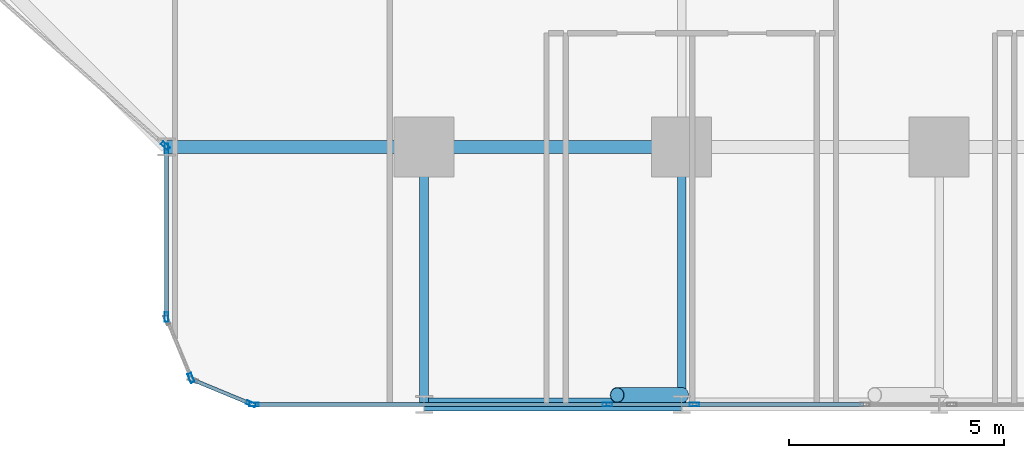
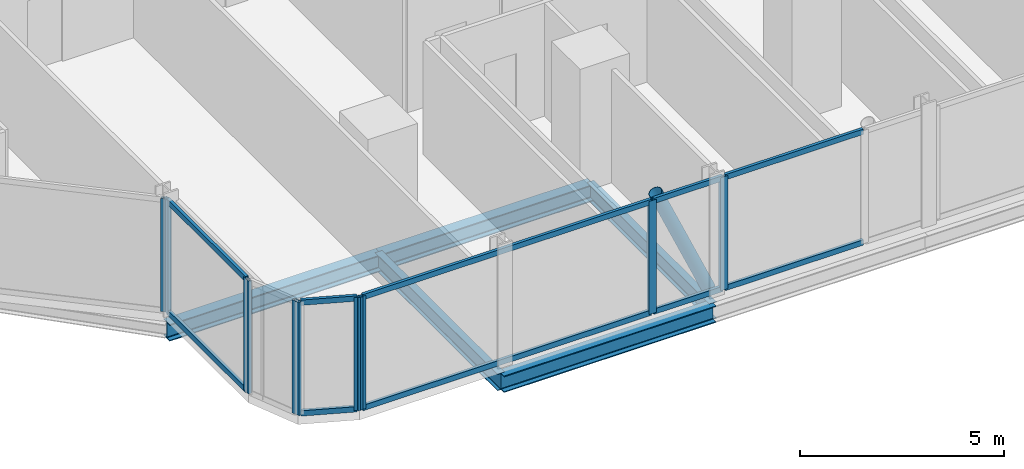
# One storey, part 3 of 33: 19 members, 5 beams, 7 elements without a shape of their own.
"""IFC4 building model written with IfcOpenShell, lengths in metres."""

from ifc_helpers import new_model, si_unit, direction, frame, origin, origin_2d, place, context, subcontext, project, spatial, hollow_rectangle, hollow_circle, i_section, extrude, material, layer, layer_set, material_profile, profile_set, type_object, element, aggregate, save


model = new_model("IFC4")

# Units and contexts
model_context = context("Model", 3, precision=1e-05, world=origin(), true_north=direction((0.0, 1.0)))
body_context = subcontext(model_context, "Body", "Model", "MODEL_VIEW")
ifc_project = project(units=[si_unit("LENGTHUNIT", "METRE"), si_unit("AREAUNIT", "SQUARE_METRE"), si_unit("VOLUMEUNIT", "CUBIC_METRE"), si_unit("PLANEANGLEUNIT", "RADIAN"), si_unit("MASSUNIT", "GRAM", prefix="KILO")], contexts=[model_context])

# Site, building, storey
site_placement = place(None, origin())
site = spatial("IfcSite", under=ifc_project, at=site_placement, CompositionType="ELEMENT")
building_placement = place(site_placement, origin())
building = spatial("IfcBuilding", under=site, at=building_placement, Name="Keshet Zoharim Tower", CompositionType="ELEMENT")
storey_placement = place(building_placement, frame((0.0, 0.0, 42.5)))
storey = spatial("IfcBuildingStorey", under=building, at=storey_placement, Name="L09", CompositionType="ELEMENT", Elevation=42.5)

# Beams
ifc_material_1 = material(Name="Steel S355", Category="steel")
ifc_material_profile_1 = material_profile(ifc_material_1, i_section(OverallWidth=0.199951171875, OverallDepth=0.5, WebThickness=0.01025390625, FlangeThickness=0.01611328125, FilletRadius=0.02099609375, at=origin_2d()), Name="IPE500")
ifc_profile_set_1 = profile_set([ifc_material_profile_1], Name="Steel S355")
beam_type_1 = type_object("IfcBeamType", Name="BM-PRI-IP500", PredefinedType="BEAM", material=ifc_profile_set_1)
for number, where, z_axis, x_axis, name in (
    (1, (27.0, 0.699951171875, -0.56494140625), (0.0, 1.0, 0.0), (-1.0, 0.0, 0.0), "L09 Primary Girder Y-004"),
    (2, (33.0, 0.699951171875, -0.56494140625), (0.0, 1.0, 0.0), (-1.0, 0.0, 0.0), "L09 Primary Girder Y-005"),
):
    element("IfcBeam", number, at=place(storey_placement, frame(where, z_axis=z_axis, x_axis=x_axis)), inside=storey, type_object=beam_type_1, Name=name, PredefinedType="BEAM", context=body_context, shape_type="SweptSolid", body=[
        extrude(i_section(OverallWidth=0.199951171875, OverallDepth=0.5, WebThickness=0.01025390625, FlangeThickness=0.01611328125, FilletRadius=0.02099609375, at=origin_2d()), origin(), (0.0, 0.0, 1.0), 6.0),
    ])
ifc_material_profile_2 = material_profile(ifc_material_1, i_section(OverallWidth=0.300048828125, OverallDepth=0.5, WebThickness=0.014404296875, FlangeThickness=0.028076171875, FilletRadius=0.027099609375, at=origin_2d()), Name="HEB500")
ifc_profile_set_2 = profile_set([ifc_material_profile_2], Name="Steel S355")
beam_type_2 = type_object("IfcBeamType", Name="BM-WEB-HB500", PredefinedType="BEAM", material=ifc_profile_set_2)
for number, where, z_axis, x_axis, name in (
    (3, (27.0, 0.699951171875, -0.56494140625), (1.0, 0.0, 0.0), (0.0, 1.0, 0.0), "L09 Primary Girder X-001"),
    (4, (21.0, 6.699951171875, -0.56494140625), (1.0, 0.0, 0.0), (0.0, 1.0, 0.0), "L09 Primary Girder X-006"),
    (5, (27.0, 6.699951171875, -0.56494140625), (1.0, 0.0, 0.0), (0.0, 1.0, 0.0), "L09 Primary Girder X-007"),
):
    element("IfcBeam", number, at=place(storey_placement, frame(where, z_axis=z_axis, x_axis=x_axis)), inside=storey, type_object=beam_type_2, Name=name, PredefinedType="BEAM", context=body_context, shape_type="SweptSolid", body=[
        extrude(i_section(OverallWidth=0.300048828125, OverallDepth=0.5, WebThickness=0.014404296875, FlangeThickness=0.028076171875, FilletRadius=0.027099609375, at=origin_2d()), origin(), (0.0, 0.0, 1.0), 6.0),
    ])

# Curtain wall, member
ifc_material_2 = material(Name="Aluminium 6063-T6", Category="aluminium")
ifc_layer = layer(ifc_material_2, 0.179931640625)
ifc_layer_set = layer_set([ifc_layer], Name="Aluminium 6063-T6")
curtain_wall_type = type_object("IfcCurtainWallType", Name="CW-SYS-01", PredefinedType="NOTDEFINED", material=ifc_layer_set)
curtain_wall_1_placement = place(storey_placement, origin())
curtain_wall_1 = element("IfcCurtainWall", 6, at=curtain_wall_1_placement, inside=storey, type_object=curtain_wall_type, Name="L09 Unitised Curtain Wall 01", PredefinedType="NOTDEFINED")
ifc_material_profile_3 = material_profile(ifc_material_2, hollow_rectangle(XDim=0.090087890625, YDim=0.219970703125, WallThickness=0.0048828125, at=origin_2d()), Name="MUL-90x220")
ifc_profile_set_3 = profile_set([ifc_material_profile_3], Name="Aluminium 6063-T6")
member_type_1 = type_object("IfcMemberType", Name="CWM-M22", PredefinedType="MULLION", material=ifc_profile_set_3)
member_1_placement = place(storey_placement, frame((20.973876953125, 6.72314453125, 0.0), z_axis=(0.0, 0.0, 1.0), x_axis=(-0.664363838836, -0.747409318679, 0.0)))
member_1 = element("IfcMember", 7, at=member_1_placement, type_object=member_type_1, Name="CW-01 mullion 1", PredefinedType="MULLION", context=body_context, shape_type="SweptSolid", body=[
    extrude(hollow_rectangle(XDim=0.090087890625, YDim=0.219970703125, WallThickness=0.0048828125, at=origin_2d()), origin(), (0.0, 0.0, 1.0), 3.385009765625),
])
aggregate(curtain_wall_1, [member_1])

curtain_wall_2_placement = place(storey_placement, origin())
curtain_wall_2 = element("IfcCurtainWall", 8, at=curtain_wall_2_placement, inside=storey, type_object=curtain_wall_type, Name="L09 Unitised Curtain Wall 26 Part 3", PredefinedType="NOTDEFINED")
member_2_placement = place(storey_placement, frame((33.297607421875, 0.699951171875, 0.0), z_axis=(0.0, 0.0, 1.0), x_axis=(0.0, -1.0, 0.0)))
member_2 = element("IfcMember", 9, at=member_2_placement, type_object=member_type_1, Name="CW-01 mullion 2", PredefinedType="MULLION", context=body_context, shape_type="SweptSolid", body=[
    extrude(hollow_rectangle(XDim=0.090087890625, YDim=0.219970703125, WallThickness=0.0048828125, at=origin_2d()), origin(), (0.0, 0.0, 1.0), 3.385009765625),
])

curtain_wall_3_placement = place(storey_placement, origin())
curtain_wall_3 = element("IfcCurtainWall", 10, at=curtain_wall_3_placement, inside=storey, type_object=curtain_wall_type, Name="L09 Unitised Curtain Wall 26 Part 4", PredefinedType="NOTDEFINED")
member_3_placement = place(storey_placement, frame((31.2724609375, 0.699951171875, 0.0), z_axis=(0.0, 0.0, 1.0), x_axis=(0.0, -1.0, 0.0)))
member_3 = element("IfcMember", 11, at=member_3_placement, type_object=member_type_1, Name="CW-01 mullion 2", PredefinedType="MULLION", context=body_context, shape_type="SweptSolid", body=[
    extrude(hollow_rectangle(XDim=0.090087890625, YDim=0.219970703125, WallThickness=0.0048828125, at=origin_2d()), origin(), (0.0, 0.0, 1.0), 3.385009765625),
])

curtain_wall_4_placement = place(storey_placement, origin())
curtain_wall_4 = element("IfcCurtainWall", 12, at=curtain_wall_4_placement, inside=storey, type_object=curtain_wall_type, Name="L09 Unitised Curtain Wall 26 Part 5", PredefinedType="NOTDEFINED")
member_4_placement = place(storey_placement, frame((23.034912109375, 0.699951171875, 0.0), z_axis=(0.0, 0.0, 1.0), x_axis=(0.0, -1.0, 0.0)))
member_4 = element("IfcMember", 13, at=member_4_placement, type_object=member_type_1, Name="CW-01 mullion 2", PredefinedType="MULLION", context=body_context, shape_type="SweptSolid", body=[
    extrude(hollow_rectangle(XDim=0.090087890625, YDim=0.219970703125, WallThickness=0.0048828125, at=origin_2d()), origin(), (0.0, 0.0, 1.0), 3.385009765625),
])

curtain_wall_5_placement = place(storey_placement, origin())
curtain_wall_5 = element("IfcCurtainWall", 14, at=curtain_wall_5_placement, inside=storey, type_object=curtain_wall_type, Name="L09 Unitised Curtain Wall 27", PredefinedType="NOTDEFINED")
member_5_placement = place(storey_placement, frame((22.9677734375, 0.71337890625, 0.0), z_axis=(0.0, 0.0, 1.0), x_axis=(-0.382851849847, -0.92380975372, 0.0)))
member_5 = element("IfcMember", 15, at=member_5_placement, type_object=member_type_1, Name="CW-01 mullion 1", PredefinedType="MULLION", context=body_context, shape_type="SweptSolid", body=[
    extrude(hollow_rectangle(XDim=0.090087890625, YDim=0.219970703125, WallThickness=0.0048828125, at=origin_2d()), origin(), (0.0, 0.0, 1.0), 3.385009765625),
])

curtain_wall_6_placement = place(storey_placement, origin())
curtain_wall_6 = element("IfcCurtainWall", 16, at=curtain_wall_6_placement, inside=storey, type_object=curtain_wall_type, Name="L09 Unitised Curtain Wall 28", PredefinedType="NOTDEFINED")
member_6_placement = place(storey_placement, frame((21.572509765625, 1.318359375, 0.0), z_axis=(0.0, 0.0, 1.0), x_axis=(-0.92380975372, -0.382851849847, 0.0)))
member_6 = element("IfcMember", 17, at=member_6_placement, type_object=member_type_1, Name="CW-01 mullion 1", PredefinedType="MULLION", context=body_context, shape_type="SweptSolid", body=[
    extrude(hollow_rectangle(XDim=0.090087890625, YDim=0.219970703125, WallThickness=0.0048828125, at=origin_2d()), origin(), (0.0, 0.0, 1.0), 3.385009765625),
])
aggregate(curtain_wall_6, [member_6])

# Curtain wall, members
curtain_wall_7_placement = place(storey_placement, origin())
curtain_wall_7 = element("IfcCurtainWall", 18, at=curtain_wall_7_placement, inside=storey, type_object=curtain_wall_type, Name="L09 Unitised Curtain Wall 29", PredefinedType="NOTDEFINED")
member_7_placement = place(storey_placement, frame((21.0, 2.735107421875, 0.0), z_axis=(0.0, 0.0, 1.0), x_axis=(-1.0, 0.0, 0.0)))
member_7 = element("IfcMember", 19, at=member_7_placement, type_object=member_type_1, Name="CW-01 mullion 1", PredefinedType="MULLION", context=body_context, shape_type="SweptSolid", body=[
    extrude(hollow_rectangle(XDim=0.090087890625, YDim=0.219970703125, WallThickness=0.0048828125, at=origin_2d()), origin(), (0.0, 0.0, 1.0), 3.385009765625),
])
member_8_placement = place(storey_placement, frame((21.0, 6.6650390625, 0.0), z_axis=(0.0, 0.0, 1.0), x_axis=(-1.0, 0.0, 0.0)))
member_8 = element("IfcMember", 20, at=member_8_placement, type_object=member_type_1, Name="CW-01 mullion 2", PredefinedType="MULLION", context=body_context, shape_type="SweptSolid", body=[
    extrude(hollow_rectangle(XDim=0.090087890625, YDim=0.219970703125, WallThickness=0.0048828125, at=origin_2d()), origin(), (0.0, 0.0, 1.0), 3.385009765625),
])

# Member
ifc_material_profile_4 = material_profile(ifc_material_2, hollow_rectangle(XDim=0.0849609375, YDim=0.159912109375, WallThickness=0.00439453125, at=origin_2d()), Name="TRN-85x160")
ifc_profile_set_4 = profile_set([ifc_material_profile_4], Name="Aluminium 6063-T6")
member_type_2 = type_object("IfcMemberType", Name="CWT-T16", PredefinedType="USERDEFINED", material=ifc_profile_set_4)
member_9_placement = place(storey_placement, frame((37.2373046875, 0.699951171875, 0.034912109375), z_axis=(-1.0, 0.0, 0.0), x_axis=(0.0, -1.0, 0.0)))
member_9 = element("IfcMember", 21, at=member_9_placement, type_object=member_type_2, Name="CW-01 transom 1.1", ObjectType="TRANSOM", PredefinedType="USERDEFINED", context=body_context, shape_type="SweptSolid", body=[
    extrude(hollow_rectangle(XDim=0.0849609375, YDim=0.159912109375, WallThickness=0.00439453125, at=origin_2d()), origin(), (0.0, 0.0, 1.0), 3.90478515625),
])

member_10_placement = place(storey_placement, frame((37.2373046875, 0.699951171875, 3.35009765625), z_axis=(-1.0, 0.0, 0.0), x_axis=(0.0, -1.0, 0.0)))
member_10 = element("IfcMember", 22, at=member_10_placement, type_object=member_type_2, Name="CW-01 transom 1.2", ObjectType="TRANSOM", PredefinedType="USERDEFINED", context=body_context, shape_type="SweptSolid", body=[
    extrude(hollow_rectangle(XDim=0.0849609375, YDim=0.159912109375, WallThickness=0.00439453125, at=origin_2d()), origin(), (0.0, 0.0, 1.0), 3.90478515625),
])

aggregate(curtain_wall_2, [member_2, member_9, member_10])

member_11_placement = place(storey_placement, frame((33.2626953125, 0.699951171875, 0.034912109375), z_axis=(-1.0, 0.0, 0.0), x_axis=(0.0, -1.0, 0.0)))
member_11 = element("IfcMember", 23, at=member_11_placement, type_object=member_type_2, Name="CW-01 transom 1.1", ObjectType="TRANSOM", PredefinedType="USERDEFINED", context=body_context, shape_type="SweptSolid", body=[
    extrude(hollow_rectangle(XDim=0.0849609375, YDim=0.159912109375, WallThickness=0.00439453125, at=origin_2d()), origin(), (0.0, 0.0, 1.0), 1.955322265625),
])

member_12_placement = place(storey_placement, frame((33.2626953125, 0.699951171875, 3.35009765625), z_axis=(-1.0, 0.0, 0.0), x_axis=(0.0, -1.0, 0.0)))
member_12 = element("IfcMember", 24, at=member_12_placement, type_object=member_type_2, Name="CW-01 transom 1.2", ObjectType="TRANSOM", PredefinedType="USERDEFINED", context=body_context, shape_type="SweptSolid", body=[
    extrude(hollow_rectangle(XDim=0.0849609375, YDim=0.159912109375, WallThickness=0.00439453125, at=origin_2d()), origin(), (0.0, 0.0, 1.0), 1.955322265625),
])

aggregate(curtain_wall_3, [member_3, member_11, member_12])

member_13_placement = place(storey_placement, frame((31.2373046875, 0.699951171875, 0.034912109375), z_axis=(-1.0, 0.0, 0.0), x_axis=(0.0, -1.0, 0.0)))
member_13 = element("IfcMember", 25, at=member_13_placement, type_object=member_type_2, Name="CW-01 transom 1.1", ObjectType="TRANSOM", PredefinedType="USERDEFINED", context=body_context, shape_type="SweptSolid", body=[
    extrude(hollow_rectangle(XDim=0.0849609375, YDim=0.159912109375, WallThickness=0.00439453125, at=origin_2d()), origin(), (0.0, 0.0, 1.0), 8.167236328125),
])

member_14_placement = place(storey_placement, frame((31.2373046875, 0.699951171875, 3.35009765625), z_axis=(-1.0, 0.0, 0.0), x_axis=(0.0, -1.0, 0.0)))
member_14 = element("IfcMember", 26, at=member_14_placement, type_object=member_type_2, Name="CW-01 transom 1.2", ObjectType="TRANSOM", PredefinedType="USERDEFINED", context=body_context, shape_type="SweptSolid", body=[
    extrude(hollow_rectangle(XDim=0.0849609375, YDim=0.159912109375, WallThickness=0.00439453125, at=origin_2d()), origin(), (0.0, 0.0, 1.0), 8.167236328125),
])

aggregate(curtain_wall_4, [member_4, member_13, member_14])

member_15_placement = place(storey_placement, frame((22.935302734375, 0.726806640625, 0.034912109375), z_axis=(-0.92379209995, 0.382894445076, 0.0), x_axis=(-0.382894445076, -0.92379209995, 0.0)))
member_15 = element("IfcMember", 27, at=member_15_placement, type_object=member_type_2, Name="CW-01 transom 1.1", ObjectType="TRANSOM", PredefinedType="USERDEFINED", context=body_context, shape_type="SweptSolid", body=[
    extrude(hollow_rectangle(XDim=0.0849609375, YDim=0.159912109375, WallThickness=0.00439453125, at=origin_2d()), origin(), (0.0, 0.0, 1.0), 1.390625),
])

member_16_placement = place(storey_placement, frame((22.935302734375, 0.726806640625, 3.35009765625), z_axis=(-0.92379209995, 0.382894445076, 0.0), x_axis=(-0.382894445076, -0.92379209995, 0.0)))
member_16 = element("IfcMember", 28, at=member_16_placement, type_object=member_type_2, Name="CW-01 transom 1.2", ObjectType="TRANSOM", PredefinedType="USERDEFINED", context=body_context, shape_type="SweptSolid", body=[
    extrude(hollow_rectangle(XDim=0.0849609375, YDim=0.159912109375, WallThickness=0.00439453125, at=origin_2d()), origin(), (0.0, 0.0, 1.0), 1.390625),
])

aggregate(curtain_wall_5, [member_5, member_15, member_16])

member_17_placement = place(storey_placement, frame((21.0, 2.77001953125, 0.034912109375), z_axis=(0.0, 1.0, 0.0), x_axis=(-1.0, 0.0, 0.0)))
member_17 = element("IfcMember", 29, at=member_17_placement, type_object=member_type_2, Name="CW-01 transom 1.1", ObjectType="TRANSOM", PredefinedType="USERDEFINED", context=body_context, shape_type="SweptSolid", body=[
    extrude(hollow_rectangle(XDim=0.0849609375, YDim=0.159912109375, WallThickness=0.00439453125, at=origin_2d()), origin(), (0.0, 0.0, 1.0), 3.85986328125),
])

member_18_placement = place(storey_placement, frame((21.0, 2.77001953125, 3.35009765625), z_axis=(0.0, 1.0, 0.0), x_axis=(-1.0, 0.0, 0.0)))
member_18 = element("IfcMember", 30, at=member_18_placement, type_object=member_type_2, Name="CW-01 transom 1.2", ObjectType="TRANSOM", PredefinedType="USERDEFINED", context=body_context, shape_type="SweptSolid", body=[
    extrude(hollow_rectangle(XDim=0.0849609375, YDim=0.159912109375, WallThickness=0.00439453125, at=origin_2d()), origin(), (0.0, 0.0, 1.0), 3.85986328125),
])

aggregate(curtain_wall_7, [member_7, member_8, member_17, member_18])

ifc_material_profile_5 = material_profile(ifc_material_1, hollow_circle(Radius=0.177734375, WallThickness=0.012451171875, at=origin_2d()), Name="CHS355x12.5")
ifc_profile_set_5 = profile_set([ifc_material_profile_5], Name="Steel S355")
member_type_3 = type_object("IfcMemberType", Name="MB-BR-C355", PredefinedType="BRACE", material=ifc_profile_set_5)
member_19_placement = place(storey_placement, frame((33.0, 0.919921875, 0.0), z_axis=(-0.405134846829, 0.0, 0.91425694194), x_axis=(0.0, -1.0, 0.0)))
element("IfcMember", 31, at=member_19_placement, inside=storey, type_object=member_type_3, Name="L09 Perimeter Tube Brace 02", PredefinedType="BRACE", context=body_context, shape_type="SweptSolid", body=[
    extrude(hollow_circle(Radius=0.177734375, WallThickness=0.012451171875, at=origin_2d()), origin(), (0.0, 0.0, 1.0), 3.702392578125),
])

save(model, "model.ifc")
